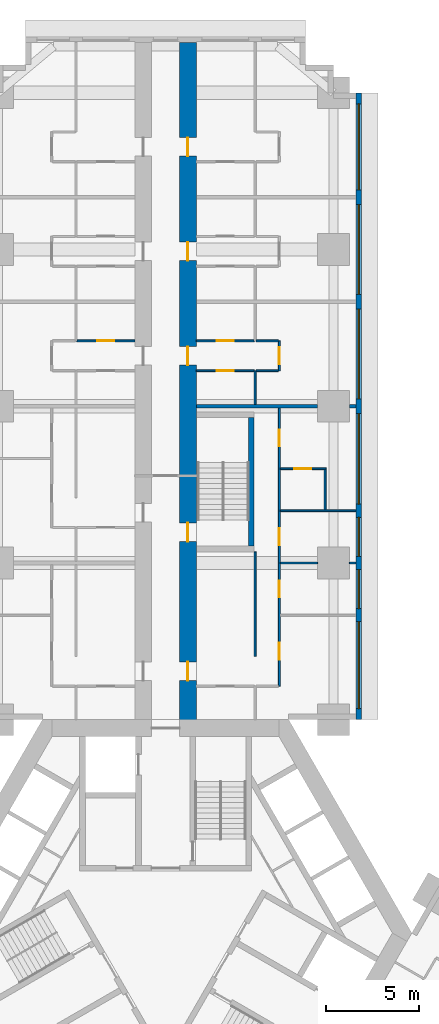
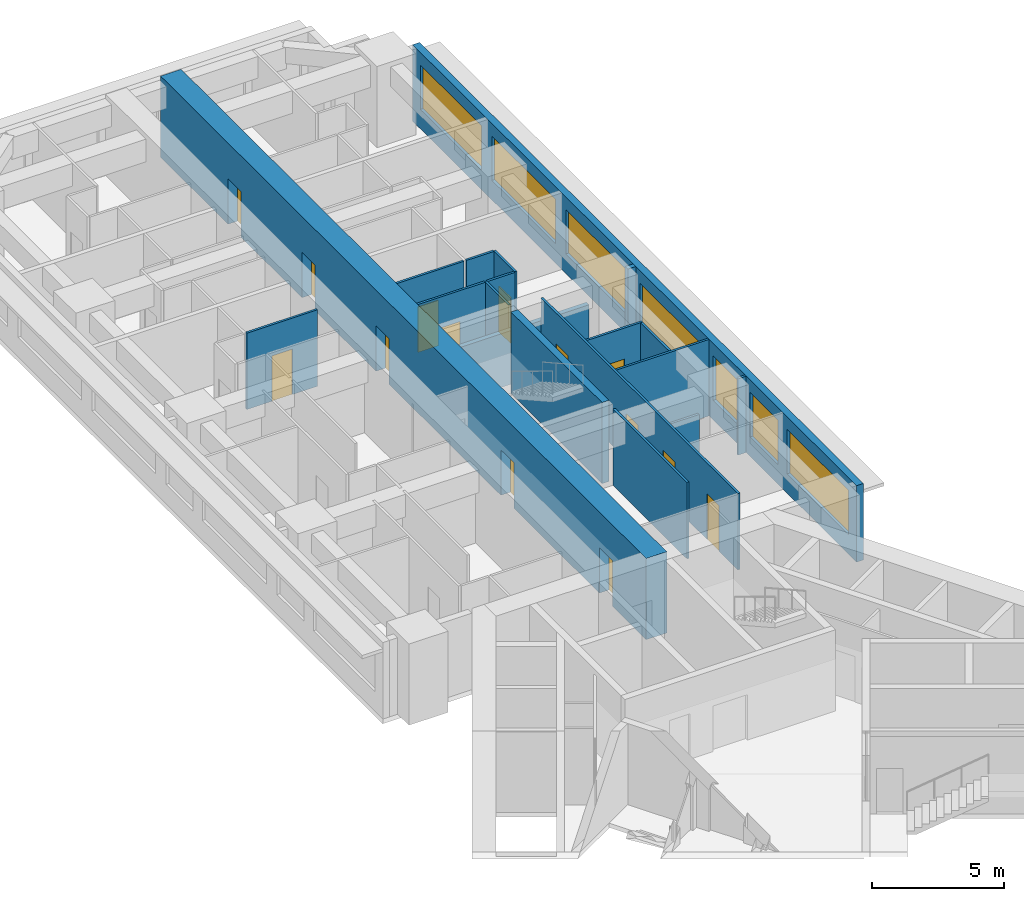
# One storey, part 10 of 16: 19 walls, 14 doors, 7 windows, 21 openings.
"""IFC4 building model written with IfcOpenShell, lengths in metres."""

from ifc_helpers import new_model, si_unit, direction, frame, frame_2d, origin, place, context, subcontext, project, spatial, rectangle, extrude, material, layer, layer_set, type_object, element, fill, save


model = new_model("IFC4")

# Units and contexts
model_context = context("Model", 3, precision=1e-05, world=origin(), true_north=direction((0.0, 1.0)))
body_context = subcontext(model_context, "Body", "Model", "MODEL_VIEW")
ifc_project = project(units=[si_unit("LENGTHUNIT", "METRE"), si_unit("AREAUNIT", "SQUARE_METRE"), si_unit("VOLUMEUNIT", "CUBIC_METRE"), si_unit("PLANEANGLEUNIT", "RADIAN"), si_unit("MASSUNIT", "GRAM", prefix="KILO")], contexts=[model_context])

# Site, building, storey
site_placement = place(None, origin())
site = spatial("IfcSite", under=ifc_project, at=site_placement, CompositionType="ELEMENT")
building_placement = place(site_placement, origin())
building = spatial("IfcBuilding", under=site, at=building_placement, Name="Impinga Residences", CompositionType="ELEMENT")
storey_placement = place(building_placement, frame((0.0, 0.0, 37.25)))
storey = spatial("IfcBuildingStorey", under=building, at=storey_placement, Name="L08", CompositionType="ELEMENT", Elevation=37.25)

# Wall, openings, doors
ifc_material_1 = material(Name="Concrete C70/85", Category="concrete")
ifc_layer_1 = layer(ifc_material_1, 0.89990234375)
ifc_layer_set_1 = layer_set([ifc_layer_1], Name="Concrete C70/85")
wall_type_1 = type_object("IfcWallType", Name="BW1 corridor buttress wall, L05 to L22 900", PredefinedType="SHEAR", material=ifc_layer_set_1)
wall_1_placement = place(storey_placement, frame((1.199951171875, 10.9814453125, 0.0), z_axis=(0.0, 0.0, 1.0), x_axis=(0.0, 1.0, 0.0)))
wall_1 = element("IfcWall", 1, at=wall_1_placement, inside=storey, type_object=wall_type_1, Name="Corridor wall BW1 ND L08", PredefinedType="SHEAR", context=body_context, shape_type="SweptSolid", body=[
    extrude(rectangle(XDim=36.75, YDim=0.89990234375, at=frame_2d((18.375, 0.0))), origin(), (0.0, 0.0, 1.0), 3.75),
])
opening_1_placement = place(wall_1_placement, frame((10.0, 0.0, 0.0)))
opening_1 = element("IfcOpeningElement", 2, at=opening_1_placement, cuts=wall_1, Name="Opening D5", PredefinedType="OPENING", context=body_context, shape_type="SweptSolid", body=[
    extrude(rectangle(XDim=1.0, YDim=2.10009765625, at=frame_2d((0.5, 1.050048828125))), frame((0.0, 0.4599609375, 0.0), z_axis=(0.0, -1.0, 0.0), x_axis=(1.0, 0.0, 0.0)), (0.0, 0.0, 1.0), 0.919921875),
])
opening_2_placement = place(wall_1_placement, frame((2.550048828125, 0.0, 0.0)))
opening_2 = element("IfcOpeningElement", 3, at=opening_2_placement, cuts=wall_1, Name="Opening D1", PredefinedType="OPENING", context=body_context, shape_type="SweptSolid", body=[
    extrude(rectangle(XDim=1.0, YDim=2.10009765625, at=frame_2d((0.5, 1.050048828125))), frame((0.0, 0.4599609375, 0.0), z_axis=(0.0, -1.0, 0.0), x_axis=(1.0, 0.0, 0.0)), (0.0, 0.0, 1.0), 0.919921875),
])
opening_3_placement = place(wall_1_placement, frame((19.449951171875, 0.0, 0.0)))
opening_3 = element("IfcOpeningElement", 4, at=opening_3_placement, cuts=wall_1, Name="Opening D1", PredefinedType="OPENING", context=body_context, shape_type="SweptSolid", body=[
    extrude(rectangle(XDim=1.0, YDim=2.10009765625, at=frame_2d((0.5, 1.050048828125))), frame((0.0, 0.4599609375, 0.0), z_axis=(0.0, -1.0, 0.0), x_axis=(1.0, 0.0, 0.0)), (0.0, 0.0, 1.0), 0.919921875),
])
opening_4_placement = place(wall_1_placement, frame((25.050048828125, 0.0, 0.0)))
opening_4 = element("IfcOpeningElement", 5, at=opening_4_placement, cuts=wall_1, Name="Opening D1", PredefinedType="OPENING", context=body_context, shape_type="SweptSolid", body=[
    extrude(rectangle(XDim=1.0, YDim=2.10009765625, at=frame_2d((0.5, 1.050048828125))), frame((0.0, 0.4599609375, 0.0), z_axis=(0.0, -1.0, 0.0), x_axis=(1.0, 0.0, 0.0)), (0.0, 0.0, 1.0), 0.919921875),
])
opening_5_placement = place(wall_1_placement, frame((30.64990234375, 0.0, 0.0)))
opening_5 = element("IfcOpeningElement", 6, at=opening_5_placement, cuts=wall_1, Name="Opening D1", PredefinedType="OPENING", context=body_context, shape_type="SweptSolid", body=[
    extrude(rectangle(XDim=1.0, YDim=2.10009765625, at=frame_2d((0.5, 1.050048828125))), frame((0.0, 0.4599609375, 0.0), z_axis=(0.0, -1.0, 0.0), x_axis=(1.0, 0.0, 0.0)), (0.0, 0.0, 1.0), 0.919921875),
])
ifc_material_2 = material(Name="Timber door set", Category="wood")
door_type_1 = type_object("IfcDoorType", Name="D1 apartment entrance door 1000x2100", OperationType="SINGLE_SWING_LEFT", PredefinedType="DOOR", material=ifc_material_2)
door_1_placement = place(opening_2_placement, origin())
door_1 = element("IfcDoor", 7, at=door_1_placement, inside=storey, type_object=door_type_1, Name="Apartment L08-NF1 entrance", OperationType="SINGLE_SWING_LEFT", OverallHeight=2.10009765625, OverallWidth=1.0, PredefinedType="DOOR", context=body_context, shape_type="SweptSolid", body=[
    extrude(rectangle(XDim=1.0, YDim=2.10009765625, at=frame_2d((0.5, 1.050048828125))), frame((0.0, 0.02490234375, 0.0), z_axis=(0.0, -1.0, 0.0), x_axis=(1.0, 0.0, 0.0)), (0.0, 0.0, 1.0), 0.050048828125),
])
fill(opening_2, door_1)
door_2_placement = place(opening_3_placement, origin())
door_2 = element("IfcDoor", 8, at=door_2_placement, inside=storey, type_object=door_type_1, Name="Apartment L08-NF2 entrance", OperationType="SINGLE_SWING_RIGHT", OverallHeight=2.10009765625, OverallWidth=1.0, PredefinedType="DOOR", context=body_context, shape_type="SweptSolid", body=[
    extrude(rectangle(XDim=1.0, YDim=2.10009765625, at=frame_2d((0.5, 1.050048828125))), frame((0.0, 0.02490234375, 0.0), z_axis=(0.0, -1.0, 0.0), x_axis=(1.0, 0.0, 0.0)), (0.0, 0.0, 1.0), 0.050048828125),
])
fill(opening_3, door_2)
door_3_placement = place(opening_4_placement, origin())
door_3 = element("IfcDoor", 9, at=door_3_placement, inside=storey, type_object=door_type_1, Name="Apartment L08-NF3 entrance", OperationType="SINGLE_SWING_RIGHT", OverallHeight=2.10009765625, OverallWidth=1.0, PredefinedType="DOOR", context=body_context, shape_type="SweptSolid", body=[
    extrude(rectangle(XDim=1.0, YDim=2.10009765625, at=frame_2d((0.5, 1.050048828125))), frame((0.0, 0.02490234375, 0.0), z_axis=(0.0, -1.0, 0.0), x_axis=(1.0, 0.0, 0.0)), (0.0, 0.0, 1.0), 0.050048828125),
])
fill(opening_4, door_3)
door_4_placement = place(opening_5_placement, origin())
door_4 = element("IfcDoor", 10, at=door_4_placement, inside=storey, type_object=door_type_1, Name="Apartment L08-NF4 entrance", OperationType="SINGLE_SWING_RIGHT", OverallHeight=2.10009765625, OverallWidth=1.0, PredefinedType="DOOR", context=body_context, shape_type="SweptSolid", body=[
    extrude(rectangle(XDim=1.0, YDim=2.10009765625, at=frame_2d((0.5, 1.050048828125))), frame((0.0, 0.02490234375, 0.0), z_axis=(0.0, -1.0, 0.0), x_axis=(1.0, 0.0, 0.0)), (0.0, 0.0, 1.0), 0.050048828125),
])
fill(opening_5, door_4)
door_type_2 = type_object("IfcDoorType", Name="D5 stair door 1000x2100", OperationType="SINGLE_SWING_LEFT", PredefinedType="DOOR", material=ifc_material_2)
door_5_placement = place(opening_1_placement, origin())
door_5 = element("IfcDoor", 11, at=door_5_placement, inside=storey, type_object=door_type_2, Name="Wing stair door N", OperationType="SINGLE_SWING_LEFT", OverallHeight=2.10009765625, OverallWidth=1.0, PredefinedType="DOOR", context=body_context, shape_type="SweptSolid", body=[
    extrude(rectangle(XDim=1.0, YDim=2.10009765625, at=frame_2d((0.5, 1.050048828125))), frame((0.0, 0.02490234375, 0.0), z_axis=(0.0, -1.0, 0.0), x_axis=(1.0, 0.0, 0.0)), (0.0, 0.0, 1.0), 0.050048828125),
])
fill(opening_1, door_5)

# Wall, openings, windows
ifc_material_3 = material(Name="Terracotta rainscreen on blockwork", Category="masonry")
ifc_layer_2 = layer(ifc_material_3, 0.300048828125)
ifc_layer_set_2 = layer_set([ifc_layer_2], Name="EW1 external wall, terracotta rainscreen on blockwork 300")
wall_type_2 = type_object("IfcWallType", Name="EW1 external wall, terracotta rainscreen on blockwork 300", PredefinedType="SOLIDWALL", material=ifc_layer_set_2)
wall_2_placement = place(storey_placement, frame((10.35009765625, 45.031494140625, 0.0), z_axis=(0.0, 0.0, 1.0), x_axis=(0.0, -1.0, 0.0)))
wall_2 = element("IfcWall", 12, at=wall_2_placement, inside=storey, type_object=wall_type_2, Name="External wall EW1 L08", PredefinedType="SOLIDWALL", context=body_context, shape_type="SweptSolid", body=[
    extrude(rectangle(XDim=33.599853515625, YDim=0.300048828125, at=frame_2d((16.7998046875, 0.0))), origin(), (0.0, 0.0, 1.0), 3.530029296875),
])
opening_6_placement = place(wall_2_placement, frame((0.60009765625, 0.0, 0.89990234375)))
opening_6 = element("IfcOpeningElement", 13, at=opening_6_placement, cuts=wall_2, Name="Opening W3", PredefinedType="OPENING", context=body_context, shape_type="SweptSolid", body=[
    extrude(rectangle(XDim=4.60009765625, YDim=2.050048828125, at=frame_2d((2.300048828125, 1.02490234375))), frame((0.0, 0.159912109375, 0.0), z_axis=(0.0, -1.0, 0.0), x_axis=(1.0, 0.0, 0.0)), (0.0, 0.0, 1.0), 0.320068359375),
])
opening_7_placement = place(wall_2_placement, frame((6.0, 0.0, 0.89990234375)))
opening_7 = element("IfcOpeningElement", 14, at=opening_7_placement, cuts=wall_2, Name="Opening W8", PredefinedType="OPENING", context=body_context, shape_type="SweptSolid", body=[
    extrude(rectangle(XDim=4.800048828125, YDim=2.050048828125, at=frame_2d((2.39990234375, 1.02490234375))), frame((0.0, 0.159912109375, 0.0), z_axis=(0.0, -1.0, 0.0), x_axis=(1.0, 0.0, 0.0)), (0.0, 0.0, 1.0), 0.320068359375),
])
opening_8_placement = place(wall_2_placement, frame((11.60009765625, 0.0, 0.89990234375)))
opening_8 = element("IfcOpeningElement", 15, at=opening_8_placement, cuts=wall_2, Name="Opening W8", PredefinedType="OPENING", context=body_context, shape_type="SweptSolid", body=[
    extrude(rectangle(XDim=4.800048828125, YDim=2.050048828125, at=frame_2d((2.39990234375, 1.02490234375))), frame((0.0, 0.159912109375, 0.0), z_axis=(0.0, -1.0, 0.0), x_axis=(1.0, 0.0, 0.0)), (0.0, 0.0, 1.0), 0.320068359375),
])
opening_9_placement = place(wall_2_placement, frame((17.199951171875, 0.0, 0.89990234375)))
opening_9 = element("IfcOpeningElement", 16, at=opening_9_placement, cuts=wall_2, Name="Opening W6", PredefinedType="OPENING", context=body_context, shape_type="SweptSolid", body=[
    extrude(rectangle(XDim=4.85009765625, YDim=2.050048828125, at=frame_2d((2.425048828125, 1.02490234375))), frame((0.0, 0.159912109375, 0.0), z_axis=(0.0, -1.0, 0.0), x_axis=(1.0, 0.0, 0.0)), (0.0, 0.0, 1.0), 0.320068359375),
])
opening_10_placement = place(wall_2_placement, frame((22.75, 0.0, 0.89990234375)))
opening_10 = element("IfcOpeningElement", 17, at=opening_10_placement, cuts=wall_2, Name="Opening W9", PredefinedType="OPENING", context=body_context, shape_type="SweptSolid", body=[
    extrude(rectangle(XDim=2.10009765625, YDim=2.050048828125, at=frame_2d((1.050048828125, 1.02490234375))), frame((0.0, 0.159912109375, 0.0), z_axis=(0.0, -1.0, 0.0), x_axis=(1.0, 0.0, 0.0)), (0.0, 0.0, 1.0), 0.320068359375),
])
opening_11_placement = place(wall_2_placement, frame((25.550048828125, 0.0, 0.89990234375)))
opening_11 = element("IfcOpeningElement", 18, at=opening_11_placement, cuts=wall_2, Name="Opening W9", PredefinedType="OPENING", context=body_context, shape_type="SweptSolid", body=[
    extrude(rectangle(XDim=2.10009765625, YDim=2.050048828125, at=frame_2d((1.050048828125, 1.02490234375))), frame((0.0, 0.159912109375, 0.0), z_axis=(0.0, -1.0, 0.0), x_axis=(1.0, 0.0, 0.0)), (0.0, 0.0, 1.0), 0.320068359375),
])
opening_12_placement = place(wall_2_placement, frame((28.35009765625, 0.0, 0.89990234375)))
opening_12 = element("IfcOpeningElement", 19, at=opening_12_placement, cuts=wall_2, Name="Opening W10", PredefinedType="OPENING", context=body_context, shape_type="SweptSolid", body=[
    extrude(rectangle(XDim=4.64990234375, YDim=2.050048828125, at=frame_2d((2.324951171875, 1.02490234375))), frame((0.0, 0.159912109375, 0.0), z_axis=(0.0, -1.0, 0.0), x_axis=(1.0, 0.0, 0.0)), (0.0, 0.0, 1.0), 0.320068359375),
])
ifc_material_4 = material(Name="Aluminium window, clear double glazing", Category="aluminium")
window_type_1 = type_object("IfcWindowType", Name="W10 ribbon window 4650x2050", PartitioningType="SINGLE_PANEL", PredefinedType="WINDOW", material=ifc_material_4)
window_1_placement = place(opening_12_placement, origin())
window_1 = element("IfcWindow", 20, at=window_1_placement, inside=storey, type_object=window_type_1, Name="Window L08", OverallHeight=2.050048828125, OverallWidth=4.64990234375, PartitioningType="SINGLE_PANEL", PredefinedType="WINDOW", context=body_context, shape_type="SweptSolid", body=[
    extrude(rectangle(XDim=4.64990234375, YDim=2.050048828125, at=frame_2d((2.324951171875, 1.02490234375))), frame((0.0, 0.030029296875, 0.0), z_axis=(0.0, -1.0, 0.0), x_axis=(1.0, 0.0, 0.0)), (0.0, 0.0, 1.0), 0.06005859375),
])
fill(opening_12, window_1)
window_type_2 = type_object("IfcWindowType", Name="W3 ribbon window 4600x2050", PartitioningType="SINGLE_PANEL", PredefinedType="WINDOW", material=ifc_material_4)
window_2_placement = place(opening_6_placement, origin())
window_2 = element("IfcWindow", 21, at=window_2_placement, inside=storey, type_object=window_type_2, Name="Window L08", OverallHeight=2.050048828125, OverallWidth=4.60009765625, PartitioningType="SINGLE_PANEL", PredefinedType="WINDOW", context=body_context, shape_type="SweptSolid", body=[
    extrude(rectangle(XDim=4.60009765625, YDim=2.050048828125, at=frame_2d((2.300048828125, 1.02490234375))), frame((0.0, 0.030029296875, 0.0), z_axis=(0.0, -1.0, 0.0), x_axis=(1.0, 0.0, 0.0)), (0.0, 0.0, 1.0), 0.06005859375),
])
fill(opening_6, window_2)
window_type_3 = type_object("IfcWindowType", Name="W6 ribbon window 4850x2050", PartitioningType="SINGLE_PANEL", PredefinedType="WINDOW", material=ifc_material_4)
window_3_placement = place(opening_9_placement, origin())
window_3 = element("IfcWindow", 22, at=window_3_placement, inside=storey, type_object=window_type_3, Name="Window L08", OverallHeight=2.050048828125, OverallWidth=4.85009765625, PartitioningType="SINGLE_PANEL", PredefinedType="WINDOW", context=body_context, shape_type="SweptSolid", body=[
    extrude(rectangle(XDim=4.85009765625, YDim=2.050048828125, at=frame_2d((2.425048828125, 1.02490234375))), frame((0.0, 0.030029296875, 0.0), z_axis=(0.0, -1.0, 0.0), x_axis=(1.0, 0.0, 0.0)), (0.0, 0.0, 1.0), 0.06005859375),
])
fill(opening_9, window_3)
window_type_4 = type_object("IfcWindowType", Name="W8 ribbon window 4800x2050", PartitioningType="SINGLE_PANEL", PredefinedType="WINDOW", material=ifc_material_4)
window_4_placement = place(opening_7_placement, origin())
window_4 = element("IfcWindow", 23, at=window_4_placement, inside=storey, type_object=window_type_4, Name="Window L08", OverallHeight=2.050048828125, OverallWidth=4.800048828125, PartitioningType="SINGLE_PANEL", PredefinedType="WINDOW", context=body_context, shape_type="SweptSolid", body=[
    extrude(rectangle(XDim=4.800048828125, YDim=2.050048828125, at=frame_2d((2.39990234375, 1.02490234375))), frame((0.0, 0.030029296875, 0.0), z_axis=(0.0, -1.0, 0.0), x_axis=(1.0, 0.0, 0.0)), (0.0, 0.0, 1.0), 0.06005859375),
])
fill(opening_7, window_4)
window_5_placement = place(opening_8_placement, origin())
window_5 = element("IfcWindow", 24, at=window_5_placement, inside=storey, type_object=window_type_4, Name="Window L08", OverallHeight=2.050048828125, OverallWidth=4.800048828125, PartitioningType="SINGLE_PANEL", PredefinedType="WINDOW", context=body_context, shape_type="SweptSolid", body=[
    extrude(rectangle(XDim=4.800048828125, YDim=2.050048828125, at=frame_2d((2.39990234375, 1.02490234375))), frame((0.0, 0.030029296875, 0.0), z_axis=(0.0, -1.0, 0.0), x_axis=(1.0, 0.0, 0.0)), (0.0, 0.0, 1.0), 0.06005859375),
])
fill(opening_8, window_5)
window_type_5 = type_object("IfcWindowType", Name="W9 ribbon window 2100x2050", PartitioningType="SINGLE_PANEL", PredefinedType="WINDOW", material=ifc_material_4)
window_6_placement = place(opening_10_placement, origin())
window_6 = element("IfcWindow", 25, at=window_6_placement, inside=storey, type_object=window_type_5, Name="Window L08", OverallHeight=2.050048828125, OverallWidth=2.10009765625, PartitioningType="SINGLE_PANEL", PredefinedType="WINDOW", context=body_context, shape_type="SweptSolid", body=[
    extrude(rectangle(XDim=2.10009765625, YDim=2.050048828125, at=frame_2d((1.050048828125, 1.02490234375))), frame((0.0, 0.030029296875, 0.0), z_axis=(0.0, -1.0, 0.0), x_axis=(1.0, 0.0, 0.0)), (0.0, 0.0, 1.0), 0.06005859375),
])
fill(opening_10, window_6)
window_7_placement = place(opening_11_placement, origin())
window_7 = element("IfcWindow", 26, at=window_7_placement, inside=storey, type_object=window_type_5, Name="Window L08", OverallHeight=2.050048828125, OverallWidth=2.10009765625, PartitioningType="SINGLE_PANEL", PredefinedType="WINDOW", context=body_context, shape_type="SweptSolid", body=[
    extrude(rectangle(XDim=2.10009765625, YDim=2.050048828125, at=frame_2d((1.050048828125, 1.02490234375))), frame((0.0, 0.030029296875, 0.0), z_axis=(0.0, -1.0, 0.0), x_axis=(1.0, 0.0, 0.0)), (0.0, 0.0, 1.0), 0.06005859375),
])
fill(opening_11, window_7)

# Wall, opening, door
ifc_material_5 = material(Name="Gypsum board on steel studs", Category="steel")
ifc_layer_3 = layer(ifc_material_5, 0.10009765625)
ifc_layer_set_3 = layer_set([ifc_layer_3], Name="Gypsum board on steel studs")
wall_type_3 = type_object("IfcWallType", Name="IP1 partition 100", PredefinedType="PARTITIONING", material=ifc_layer_set_3)
wall_3_placement = place(storey_placement, frame((-1.64990234375, 31.7314453125, 0.0), z_axis=(0.0, 0.0, 1.0), x_axis=(-1.0, 0.0, 0.0)))
wall_3 = element("IfcWall", 27, at=wall_3_placement, inside=storey, type_object=wall_type_3, Name="Partition L08-NA3:IB2", PredefinedType="PARTITIONING", context=body_context, shape_type="SweptSolid", body=[
    extrude(rectangle(XDim=3.10009765625, YDim=0.10009765625, at=frame_2d((1.550048828125, 0.0))), origin(), (0.0, 0.0, 1.0), 3.530029296875),
])
opening_13_placement = place(wall_3_placement, frame((1.10009765625, 0.0, 0.0)))
opening_13 = element("IfcOpeningElement", 28, at=opening_13_placement, cuts=wall_3, Name="Opening D2", PredefinedType="OPENING", context=body_context, shape_type="SweptSolid", body=[
    extrude(rectangle(XDim=0.89990234375, YDim=2.10009765625, at=frame_2d((0.449951171875, 1.050048828125))), frame((0.0, 0.06005859375, 0.0), z_axis=(0.0, -1.0, 0.0), x_axis=(1.0, 0.0, 0.0)), (0.0, 0.0, 1.0), 0.1201171875),
])
door_type_3 = type_object("IfcDoorType", Name="D2 internal door 900x2100", OperationType="SINGLE_SWING_LEFT", PredefinedType="DOOR", material=ifc_material_2)
door_6_placement = place(opening_13_placement, origin())
door_6 = element("IfcDoor", 29, at=door_6_placement, inside=storey, type_object=door_type_3, Name="Apartment L08-NA3 WC door", OperationType="SINGLE_SWING_LEFT", OverallHeight=2.10009765625, OverallWidth=0.89990234375, PredefinedType="DOOR", context=body_context, shape_type="SweptSolid", body=[
    extrude(rectangle(XDim=0.89990234375, YDim=2.10009765625, at=frame_2d((0.449951171875, 1.050048828125))), frame((0.0, 0.02490234375, 0.0), z_axis=(0.0, -1.0, 0.0), x_axis=(1.0, 0.0, 0.0)), (0.0, 0.0, 1.0), 0.050048828125),
])
fill(opening_13, door_6)

# Wall
wall_4_placement = place(storey_placement, frame((4.800048828125, 14.83154296875, 0.0), z_axis=(0.0, 0.0, 1.0), x_axis=(0.0, 1.0, 0.0)))
element("IfcWall", 30, at=wall_4_placement, inside=storey, type_object=wall_type_3, Name="Partition L08-NF1:DIV1", PredefinedType="PARTITIONING", context=body_context, shape_type="SweptSolid", body=[
    extrude(rectangle(XDim=5.60009765625, YDim=0.10009765625, at=frame_2d((2.800048828125, 0.0))), origin(), (0.0, 0.0, 1.0), 3.530029296875),
])

# Wall, openings, doors
wall_5_placement = place(storey_placement, frame((6.10009765625, 13.2314453125, 0.0), z_axis=(0.0, 0.0, 1.0), x_axis=(0.0, 1.0, 0.0)))
wall_5 = element("IfcWall", 31, at=wall_5_placement, inside=storey, type_object=wall_type_3, Name="Partition L08-NF1:STRIP", PredefinedType="PARTITIONING", context=body_context, shape_type="SweptSolid", body=[
    extrude(rectangle(XDim=14.900146484375, YDim=0.10009765625, at=frame_2d((7.4501953125, 0.0))), origin(), (0.0, 0.0, 1.0), 3.530029296875),
])
opening_14_placement = place(wall_5_placement, frame((1.425048828125, 0.0, 0.0)))
opening_14 = element("IfcOpeningElement", 32, at=opening_14_placement, cuts=wall_5, Name="Opening D2", PredefinedType="OPENING", context=body_context, shape_type="SweptSolid", body=[
    extrude(rectangle(XDim=0.89990234375, YDim=2.10009765625, at=frame_2d((0.449951171875, 1.050048828125))), frame((0.0, 0.06005859375, 0.0), z_axis=(0.0, -1.0, 0.0), x_axis=(1.0, 0.0, 0.0)), (0.0, 0.0, 1.0), 0.1201171875),
])
opening_15_placement = place(wall_5_placement, frame((4.75, 0.0, 0.0)))
opening_15 = element("IfcOpeningElement", 33, at=opening_15_placement, cuts=wall_5, Name="Opening D2", PredefinedType="OPENING", context=body_context, shape_type="SweptSolid", body=[
    extrude(rectangle(XDim=0.89990234375, YDim=2.10009765625, at=frame_2d((0.449951171875, 1.050048828125))), frame((0.0, 0.06005859375, 0.0), z_axis=(0.0, -1.0, 0.0), x_axis=(1.0, 0.0, 0.0)), (0.0, 0.0, 1.0), 0.1201171875),
])
opening_16_placement = place(wall_5_placement, frame((7.550048828125, 0.0, 0.0)))
opening_16 = element("IfcOpeningElement", 34, at=opening_16_placement, cuts=wall_5, Name="Opening D2", PredefinedType="OPENING", context=body_context, shape_type="SweptSolid", body=[
    extrude(rectangle(XDim=0.89990234375, YDim=2.10009765625, at=frame_2d((0.449951171875, 1.050048828125))), frame((0.0, 0.06005859375, 0.0), z_axis=(0.0, -1.0, 0.0), x_axis=(1.0, 0.0, 0.0)), (0.0, 0.0, 1.0), 0.1201171875),
])
opening_17_placement = place(wall_5_placement, frame((12.85009765625, 0.0, 0.0)))
opening_17 = element("IfcOpeningElement", 35, at=opening_17_placement, cuts=wall_5, Name="Opening D2", PredefinedType="OPENING", context=body_context, shape_type="SweptSolid", body=[
    extrude(rectangle(XDim=0.89990234375, YDim=2.10009765625, at=frame_2d((0.449951171875, 1.050048828125))), frame((0.0, 0.06005859375, 0.0), z_axis=(0.0, -1.0, 0.0), x_axis=(1.0, 0.0, 0.0)), (0.0, 0.0, 1.0), 0.1201171875),
])
door_7_placement = place(opening_14_placement, origin())
door_7 = element("IfcDoor", 36, at=door_7_placement, inside=storey, type_object=door_type_3, Name="Apartment L08-NF1 room door", OperationType="SINGLE_SWING_LEFT", OverallHeight=2.10009765625, OverallWidth=0.89990234375, PredefinedType="DOOR", context=body_context, shape_type="SweptSolid", body=[
    extrude(rectangle(XDim=0.89990234375, YDim=2.10009765625, at=frame_2d((0.449951171875, 1.050048828125))), frame((0.0, 0.02490234375, 0.0), z_axis=(0.0, -1.0, 0.0), x_axis=(1.0, 0.0, 0.0)), (0.0, 0.0, 1.0), 0.050048828125),
])
fill(opening_14, door_7)
door_8_placement = place(opening_15_placement, origin())
door_8 = element("IfcDoor", 37, at=door_8_placement, inside=storey, type_object=door_type_3, Name="Apartment L08-NF1 room door", OperationType="SINGLE_SWING_LEFT", OverallHeight=2.10009765625, OverallWidth=0.89990234375, PredefinedType="DOOR", context=body_context, shape_type="SweptSolid", body=[
    extrude(rectangle(XDim=0.89990234375, YDim=2.10009765625, at=frame_2d((0.449951171875, 1.050048828125))), frame((0.0, 0.02490234375, 0.0), z_axis=(0.0, -1.0, 0.0), x_axis=(1.0, 0.0, 0.0)), (0.0, 0.0, 1.0), 0.050048828125),
])
fill(opening_15, door_8)
door_9_placement = place(opening_16_placement, origin())
door_9 = element("IfcDoor", 38, at=door_9_placement, inside=storey, type_object=door_type_3, Name="Apartment L08-NF1 room door", OperationType="SINGLE_SWING_RIGHT", OverallHeight=2.10009765625, OverallWidth=0.89990234375, PredefinedType="DOOR", context=body_context, shape_type="SweptSolid", body=[
    extrude(rectangle(XDim=0.89990234375, YDim=2.10009765625, at=frame_2d((0.449951171875, 1.050048828125))), frame((0.0, 0.02490234375, 0.0), z_axis=(0.0, -1.0, 0.0), x_axis=(1.0, 0.0, 0.0)), (0.0, 0.0, 1.0), 0.050048828125),
])
fill(opening_16, door_9)
door_10_placement = place(opening_17_placement, origin())
door_10 = element("IfcDoor", 39, at=door_10_placement, inside=storey, type_object=door_type_3, Name="Apartment L08-NF1 room door", OperationType="SINGLE_SWING_RIGHT", OverallHeight=2.10009765625, OverallWidth=0.89990234375, PredefinedType="DOOR", context=body_context, shape_type="SweptSolid", body=[
    extrude(rectangle(XDim=0.89990234375, YDim=2.10009765625, at=frame_2d((0.449951171875, 1.050048828125))), frame((0.0, 0.02490234375, 0.0), z_axis=(0.0, -1.0, 0.0), x_axis=(1.0, 0.0, 0.0)), (0.0, 0.0, 1.0), 0.050048828125),
])
fill(opening_17, door_10)

# Walls
wall_6_placement = place(storey_placement, frame((6.14990234375, 19.83154296875, 0.0), z_axis=(0.0, 0.0, 1.0), x_axis=(1.0, 0.0, 0.0)))
element("IfcWall", 40, at=wall_6_placement, inside=storey, type_object=wall_type_3, Name="Partition L08-NF1:OB2", PredefinedType="PARTITIONING", context=body_context, shape_type="SweptSolid", body=[
    extrude(rectangle(XDim=2.0, YDim=0.10009765625, at=frame_2d((1.0, 0.0))), origin(), (0.0, 0.0, 1.0), 2.47998046875),
])
wall_7_placement = place(storey_placement, frame((9.85009765625, 19.83154296875, 0.0), z_axis=(0.0, 0.0, 1.0), x_axis=(1.0, 0.0, 0.0)))
element("IfcWall", 41, at=wall_7_placement, inside=storey, type_object=wall_type_3, Name="Partition L08-NF1:OB2b", PredefinedType="PARTITIONING", context=body_context, shape_type="SweptSolid", body=[
    extrude(rectangle(XDim=0.349853515625, YDim=0.10009765625, at=frame_2d((0.1748046875, 0.0))), origin(), (0.0, 0.0, 1.0), 3.530029296875),
])
wall_8_placement = place(storey_placement, frame((6.14990234375, 22.631591796875, 0.0), z_axis=(0.0, 0.0, 1.0), x_axis=(1.0, 0.0, 0.0)))
element("IfcWall", 42, at=wall_8_placement, inside=storey, type_object=wall_type_3, Name="Partition L08-NF1:OB3", PredefinedType="PARTITIONING", context=body_context, shape_type="SweptSolid", body=[
    extrude(rectangle(XDim=4.050048828125, YDim=0.10009765625, at=frame_2d((2.02490234375, 0.0))), origin(), (0.0, 0.0, 1.0), 3.530029296875),
])

# Wall, opening, door
wall_9_placement = place(storey_placement, frame((6.14990234375, 24.881591796875, 0.0), z_axis=(0.0, 0.0, 1.0), x_axis=(1.0, 0.0, 0.0)))
wall_9 = element("IfcWall", 43, at=wall_9_placement, inside=storey, type_object=wall_type_3, Name="Partition L08-NF1:EN1", PredefinedType="PARTITIONING", context=body_context, shape_type="SweptSolid", body=[
    extrude(rectangle(XDim=2.4501953125, YDim=0.10009765625, at=frame_2d((1.22509765625, 0.0))), origin(), (0.0, 0.0, 1.0), 3.530029296875),
])
opening_18_placement = place(wall_9_placement, frame((0.75, 0.0, 0.0)))
opening_18 = element("IfcOpeningElement", 44, at=opening_18_placement, cuts=wall_9, Name="Opening D2", PredefinedType="OPENING", context=body_context, shape_type="SweptSolid", body=[
    extrude(rectangle(XDim=0.89990234375, YDim=2.10009765625, at=frame_2d((0.449951171875, 1.050048828125))), frame((0.0, 0.06005859375, 0.0), z_axis=(0.0, -1.0, 0.0), x_axis=(1.0, 0.0, 0.0)), (0.0, 0.0, 1.0), 0.1201171875),
])
door_11_placement = place(opening_18_placement, origin())
door_11 = element("IfcDoor", 45, at=door_11_placement, inside=storey, type_object=door_type_3, Name="Apartment L08-NF1 en-suite door", OperationType="SINGLE_SWING_LEFT", OverallHeight=2.10009765625, OverallWidth=0.89990234375, PredefinedType="DOOR", context=body_context, shape_type="SweptSolid", body=[
    extrude(rectangle(XDim=0.89990234375, YDim=2.10009765625, at=frame_2d((0.449951171875, 1.050048828125))), frame((0.0, 0.02490234375, 0.0), z_axis=(0.0, -1.0, 0.0), x_axis=(1.0, 0.0, 0.0)), (0.0, 0.0, 1.0), 0.050048828125),
])
fill(opening_18, door_11)

# Walls
wall_10_placement = place(storey_placement, frame((8.550048828125, 22.681640625, 0.0), z_axis=(0.0, 0.0, 1.0), x_axis=(0.0, 1.0, 0.0)))
element("IfcWall", 46, at=wall_10_placement, inside=storey, type_object=wall_type_3, Name="Partition L08-NF1:EN2", PredefinedType="PARTITIONING", context=body_context, shape_type="SweptSolid", body=[
    extrude(rectangle(XDim=2.14990234375, YDim=0.10009765625, at=frame_2d((1.074951171875, 0.0))), origin(), (0.0, 0.0, 1.0), 3.530029296875),
])
wall_11_placement = place(storey_placement, frame((4.800048828125, 28.33154296875, 0.0), z_axis=(0.0, 0.0, 1.0), x_axis=(0.0, 1.0, 0.0)))
element("IfcWall", 47, at=wall_11_placement, inside=storey, type_object=wall_type_3, Name="Partition L08-NF2:DIV0", PredefinedType="PARTITIONING", context=body_context, shape_type="SweptSolid", body=[
    extrude(rectangle(XDim=1.800048828125, YDim=0.10009765625, at=frame_2d((0.89990234375, 0.0))), origin(), (0.0, 0.0, 1.0), 3.530029296875),
])

# Wall, opening, door
wall_12_placement = place(storey_placement, frame((6.10009765625, 30.131591796875, 0.0), z_axis=(0.0, 0.0, 1.0), x_axis=(0.0, 1.0, 0.0)))
wall_12 = element("IfcWall", 48, at=wall_12_placement, inside=storey, type_object=wall_type_3, Name="Partition L08-NF2:STRIP", PredefinedType="PARTITIONING", context=body_context, shape_type="SweptSolid", body=[
    extrude(rectangle(XDim=1.599853515625, YDim=0.10009765625, at=frame_2d((0.7998046875, 0.0))), origin(), (0.0, 0.0, 1.0), 3.530029296875),
])
opening_19_placement = place(wall_12_placement, frame((0.35009765625, 0.0, 0.0)))
opening_19 = element("IfcOpeningElement", 49, at=opening_19_placement, cuts=wall_12, Name="Opening D2", PredefinedType="OPENING", context=body_context, shape_type="SweptSolid", body=[
    extrude(rectangle(XDim=0.89990234375, YDim=2.10009765625, at=frame_2d((0.449951171875, 1.050048828125))), frame((0.0, 0.06005859375, 0.0), z_axis=(0.0, -1.0, 0.0), x_axis=(1.0, 0.0, 0.0)), (0.0, 0.0, 1.0), 0.1201171875),
])
door_12_placement = place(opening_19_placement, origin())
door_12 = element("IfcDoor", 50, at=door_12_placement, inside=storey, type_object=door_type_3, Name="Apartment L08-NF2 room door", OperationType="SINGLE_SWING_LEFT", OverallHeight=2.10009765625, OverallWidth=0.89990234375, PredefinedType="DOOR", context=body_context, shape_type="SweptSolid", body=[
    extrude(rectangle(XDim=0.89990234375, YDim=2.10009765625, at=frame_2d((0.449951171875, 1.050048828125))), frame((0.0, 0.02490234375, 0.0), z_axis=(0.0, -1.0, 0.0), x_axis=(1.0, 0.0, 0.0)), (0.0, 0.0, 1.0), 0.050048828125),
])
fill(opening_19, door_12)

# Walls
for number, where, z_axis, x_axis, name in (
    (51, (4.85009765625, 30.131591796875, 0.0), (0.0, 0.0, 1.0), (1.0, 0.0, 0.0), "Partition L08-NF2:SE0"),
    (52, (4.85009765625, 31.7314453125, 0.0), (0.0, 0.0, 1.0), (1.0, 0.0, 0.0), "Partition L08-NF2:SE1"),
):
    element("IfcWall", number, at=place(storey_placement, frame(where, z_axis=z_axis, x_axis=x_axis)), inside=storey, type_object=wall_type_3, Name=name, PredefinedType="PARTITIONING", context=body_context, shape_type="SweptSolid", body=[
        extrude(rectangle(XDim=1.199951171875, YDim=0.10009765625, at=frame_2d((0.60009765625, 0.0))), origin(), (0.0, 0.0, 1.0), 3.530029296875),
    ])

# Wall, opening, door
wall_13_placement = place(storey_placement, frame((1.64990234375, 30.131591796875, 0.0), z_axis=(0.0, 0.0, 1.0), x_axis=(1.0, 0.0, 0.0)))
wall_13 = element("IfcWall", 53, at=wall_13_placement, inside=storey, type_object=wall_type_3, Name="Partition L08-NF2:IB1", PredefinedType="PARTITIONING", context=body_context, shape_type="SweptSolid", body=[
    extrude(rectangle(XDim=3.10009765625, YDim=0.10009765625, at=frame_2d((1.550048828125, 0.0))), origin(), (0.0, 0.0, 1.0), 3.530029296875),
])
opening_20_placement = place(wall_13_placement, frame((1.10009765625, 0.0, 0.0)))
opening_20 = element("IfcOpeningElement", 54, at=opening_20_placement, cuts=wall_13, Name="Opening D2", PredefinedType="OPENING", context=body_context, shape_type="SweptSolid", body=[
    extrude(rectangle(XDim=0.89990234375, YDim=2.10009765625, at=frame_2d((0.449951171875, 1.050048828125))), frame((0.0, 0.06005859375, 0.0), z_axis=(0.0, -1.0, 0.0), x_axis=(1.0, 0.0, 0.0)), (0.0, 0.0, 1.0), 0.1201171875),
])
door_13_placement = place(opening_20_placement, origin())
door_13 = element("IfcDoor", 55, at=door_13_placement, inside=storey, type_object=door_type_3, Name="Apartment L08-NF2 bathroom door", OperationType="SINGLE_SWING_LEFT", OverallHeight=2.10009765625, OverallWidth=0.89990234375, PredefinedType="DOOR", context=body_context, shape_type="SweptSolid", body=[
    extrude(rectangle(XDim=0.89990234375, YDim=2.10009765625, at=frame_2d((0.449951171875, 1.050048828125))), frame((0.0, 0.02490234375, 0.0), z_axis=(0.0, -1.0, 0.0), x_axis=(1.0, 0.0, 0.0)), (0.0, 0.0, 1.0), 0.050048828125),
])
fill(opening_20, door_13)

wall_14_placement = place(storey_placement, frame((1.64990234375, 31.7314453125, 0.0), z_axis=(0.0, 0.0, 1.0), x_axis=(1.0, 0.0, 0.0)))
wall_14 = element("IfcWall", 56, at=wall_14_placement, inside=storey, type_object=wall_type_3, Name="Partition L08-NF2:IB2", PredefinedType="PARTITIONING", context=body_context, shape_type="SweptSolid", body=[
    extrude(rectangle(XDim=3.10009765625, YDim=0.10009765625, at=frame_2d((1.550048828125, 0.0))), origin(), (0.0, 0.0, 1.0), 3.530029296875),
])
opening_21_placement = place(wall_14_placement, frame((1.10009765625, 0.0, 0.0)))
opening_21 = element("IfcOpeningElement", 57, at=opening_21_placement, cuts=wall_14, Name="Opening D2", PredefinedType="OPENING", context=body_context, shape_type="SweptSolid", body=[
    extrude(rectangle(XDim=0.89990234375, YDim=2.10009765625, at=frame_2d((0.449951171875, 1.050048828125))), frame((0.0, 0.06005859375, 0.0), z_axis=(0.0, -1.0, 0.0), x_axis=(1.0, 0.0, 0.0)), (0.0, 0.0, 1.0), 0.1201171875),
])
door_14_placement = place(opening_21_placement, origin())
door_14 = element("IfcDoor", 58, at=door_14_placement, inside=storey, type_object=door_type_3, Name="Apartment L08-NF2 WC door", OperationType="SINGLE_SWING_LEFT", OverallHeight=2.10009765625, OverallWidth=0.89990234375, PredefinedType="DOOR", context=body_context, shape_type="SweptSolid", body=[
    extrude(rectangle(XDim=0.89990234375, YDim=2.10009765625, at=frame_2d((0.449951171875, 1.050048828125))), frame((0.0, 0.02490234375, 0.0), z_axis=(0.0, -1.0, 0.0), x_axis=(1.0, 0.0, 0.0)), (0.0, 0.0, 1.0), 0.050048828125),
])
fill(opening_21, door_14)

# Walls
ifc_material_6 = material(Name="Concrete blockwork", Category="masonry")
ifc_layer_4 = layer(ifc_material_6, 0.199951171875)
ifc_layer_set_4 = layer_set([ifc_layer_4], Name="PW1 party wall between apartments 200")
wall_type_4 = type_object("IfcWallType", Name="PW1 party wall between apartments 200", PredefinedType="SOLIDWALL", material=ifc_layer_set_4)
wall_15_placement = place(storey_placement, frame((1.64990234375, 28.2314453125, 0.0), z_axis=(0.0, 0.0, 1.0), x_axis=(1.0, 0.0, 0.0)))
element("IfcWall", 59, at=wall_15_placement, inside=storey, type_object=wall_type_4, Name="Party wall between apartments L08-NF1:PARTY", PredefinedType="SOLIDWALL", context=body_context, shape_type="SweptSolid", body=[
    extrude(rectangle(XDim=6.5, YDim=0.199951171875, at=frame_2d((3.25, 0.0))), origin(), (0.0, 0.0, 1.0), 2.47998046875),
])
wall_16_placement = place(storey_placement, frame((9.85009765625, 28.2314453125, 0.0), z_axis=(0.0, 0.0, 1.0), x_axis=(1.0, 0.0, 0.0)))
element("IfcWall", 60, at=wall_16_placement, inside=storey, type_object=wall_type_4, Name="Party wall between apartments L08-NF1:PARTYb", PredefinedType="SOLIDWALL", context=body_context, shape_type="SweptSolid", body=[
    extrude(rectangle(XDim=0.349853515625, YDim=0.199951171875, at=frame_2d((0.1748046875, 0.0))), origin(), (0.0, 0.0, 1.0), 3.530029296875),
])
ifc_material_7 = material(Name="Concrete C60/75", Category="concrete")
ifc_layer_5 = layer(ifc_material_7, 0.300048828125)
ifc_layer_set_5 = layer_set([ifc_layer_5], Name="Concrete C60/75")
wall_type_5 = type_object("IfcWallType", Name="SE1 wing stair enclosure wall 300", PredefinedType="SOLIDWALL", material=ifc_layer_set_5)
wall_17_placement = place(storey_placement, frame((4.60009765625, 20.7314453125, 0.0), z_axis=(0.0, 0.0, 1.0), x_axis=(0.0, 1.0, 0.0)))
element("IfcWall", 61, at=wall_17_placement, inside=storey, type_object=wall_type_5, Name="Stair enclosure wall SE1 N OUT L08", PredefinedType="SOLIDWALL", context=body_context, shape_type="SweptSolid", body=[
    extrude(rectangle(XDim=6.900146484375, YDim=0.300048828125, at=frame_2d((3.4501953125, 0.0))), origin(), (0.0, 0.0, 1.0), 3.75),
])

save(model, "model.ifc")
